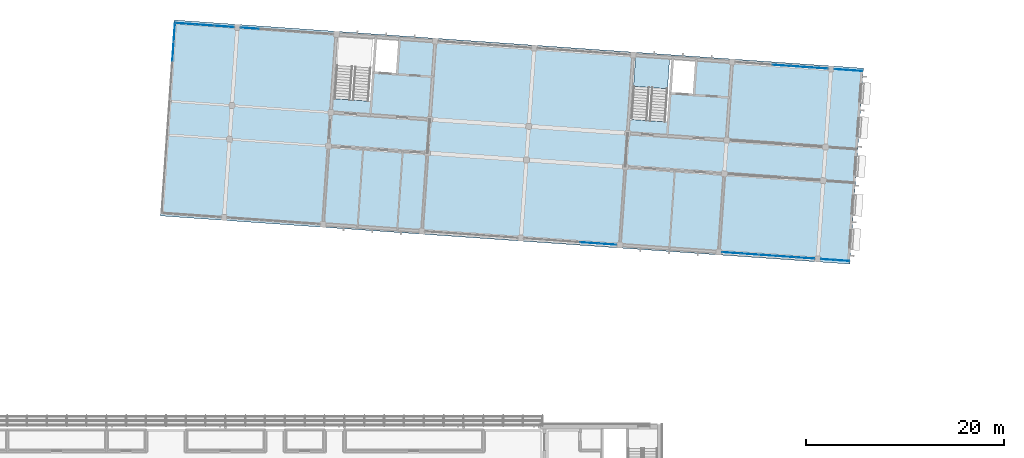
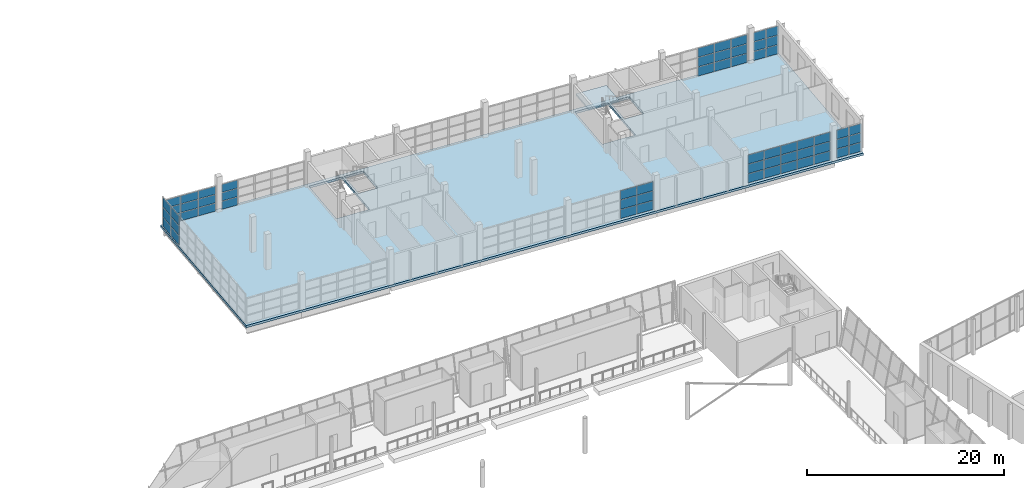
# One storey, part 57 of 115: 60 plates, 2 slabs, 9 elements without a shape of their own.
"""IFC4 building model written with IfcOpenShell, lengths in metres."""

from ifc_helpers import new_model, si_unit, direction, frame, origin, origin_2d, place, context, subcontext, project, spatial, polyline, rectangle, outline, extrude, material, layer, layer_set, type_object, element, aggregate, save


model = new_model("IFC4")

# Units and contexts
model_context = context("Model", 3, precision=1e-05, world=origin(), true_north=direction((0.0, 1.0)))
body_context = subcontext(model_context, "Body", "Model", "MODEL_VIEW")
ifc_project = project(units=[si_unit("LENGTHUNIT", "METRE"), si_unit("AREAUNIT", "SQUARE_METRE"), si_unit("VOLUMEUNIT", "CUBIC_METRE"), si_unit("PLANEANGLEUNIT", "RADIAN"), si_unit("MASSUNIT", "GRAM", prefix="KILO")], contexts=[model_context])

# Site, building, storey
site_placement = place(None, origin())
site = spatial("IfcSite", under=ifc_project, at=site_placement, CompositionType="ELEMENT")
building_placement = place(site_placement, origin())
building = spatial("IfcBuilding", under=site, at=building_placement, Name="Windward Yard Aquatics Centre", CompositionType="ELEMENT")
storey_placement = place(building_placement, frame((0.0, 0.0, 5.0)))
storey = spatial("IfcBuildingStorey", under=building, at=storey_placement, Name="L01", CompositionType="ELEMENT", Elevation=5.0)

# Curtain wall, plates
ifc_material_1 = material(Name="Aluminium curtain wall system", Category="aluminium")
curtain_wall_type = type_object("IfcCurtainWallType", Name="W curtain wall 1900", PredefinedType="NOTDEFINED", material=ifc_material_1)
curtain_wall_1_placement = place(storey_placement, origin())
curtain_wall_1 = element("IfcCurtainWall", 1, at=curtain_wall_1_placement, inside=storey, type_object=curtain_wall_type, Name="Wing south glazing L01 4", PredefinedType="NOTDEFINED")
ifc_material_2 = material(Name="Double glazed unit")
ifc_layer_1 = layer(ifc_material_2, 0.028076171875)
ifc_layer_set_1 = layer_set([ifc_layer_1], Name="W CW panel IGU 28")
plate_type = type_object("IfcPlateType", Name="W CW panel IGU 28", PredefinedType="CURTAIN_PANEL", material=ifc_layer_set_1)
plate_1_placement = place(storey_placement, frame((144.6533203125, 114.29248046875, 0.06005859375), z_axis=(0.0, 0.0, 1.0), x_axis=(0.997564129531, -0.069755340111, 0.0)))
plate_1 = element("IfcPlate", 2, at=plate_1_placement, type_object=plate_type, Name="WCW1 panel 4.1", PredefinedType="CURTAIN_PANEL", context=body_context, shape_type="SweptSolid", body=[
    extrude(rectangle(XDim=1.820068359375, YDim=0.028076171875, at=origin_2d()), origin(), (0.0, 0.0, 1.0), 1.10009765625),
])
plate_2_placement = place(storey_placement, frame((144.6533203125, 114.29248046875, 1.219970703125), z_axis=(0.0, 0.0, 1.0), x_axis=(0.997564129531, -0.069755340111, 0.0)))
plate_2 = element("IfcPlate", 3, at=plate_2_placement, type_object=plate_type, Name="WCW1 panel 4.2", PredefinedType="CURTAIN_PANEL", context=body_context, shape_type="SweptSolid", body=[
    extrude(rectangle(XDim=1.820068359375, YDim=0.028076171875, at=origin_2d()), origin(), (0.0, 0.0, 1.0), 1.1298828125),
])
plate_3_placement = place(storey_placement, frame((144.6533203125, 114.29248046875, 2.409912109375), z_axis=(0.0, 0.0, 1.0), x_axis=(0.997564129531, -0.069755340111, 0.0)))
plate_3 = element("IfcPlate", 4, at=plate_3_placement, type_object=plate_type, Name="WCW1 panel 4.3", PredefinedType="CURTAIN_PANEL", context=body_context, shape_type="SweptSolid", body=[
    extrude(rectangle(XDim=1.820068359375, YDim=0.028076171875, at=origin_2d()), origin(), (0.0, 0.0, 1.0), 1.10009765625),
])
plate_4_placement = place(storey_placement, frame((146.513916015625, 114.162353515625, 0.06005859375), z_axis=(0.0, 0.0, 1.0), x_axis=(0.997564129531, -0.069755340111, 0.0)))
plate_4 = element("IfcPlate", 5, at=plate_4_placement, type_object=plate_type, Name="WCW1 panel 5.1", PredefinedType="CURTAIN_PANEL", context=body_context, shape_type="SweptSolid", body=[
    extrude(rectangle(XDim=1.7900390625, YDim=0.028076171875, at=origin_2d()), origin(), (0.0, 0.0, 1.0), 1.10009765625),
])
plate_5_placement = place(storey_placement, frame((146.513916015625, 114.162353515625, 1.219970703125), z_axis=(0.0, 0.0, 1.0), x_axis=(0.997564129531, -0.069755340111, 0.0)))
plate_5 = element("IfcPlate", 6, at=plate_5_placement, type_object=plate_type, Name="WCW1 panel 5.2", PredefinedType="CURTAIN_PANEL", context=body_context, shape_type="SweptSolid", body=[
    extrude(rectangle(XDim=1.7900390625, YDim=0.028076171875, at=origin_2d()), origin(), (0.0, 0.0, 1.0), 1.1298828125),
])
plate_6_placement = place(storey_placement, frame((146.513916015625, 114.162353515625, 2.409912109375), z_axis=(0.0, 0.0, 1.0), x_axis=(0.997564129531, -0.069755340111, 0.0)))
plate_6 = element("IfcPlate", 7, at=plate_6_placement, type_object=plate_type, Name="WCW1 panel 5.3", PredefinedType="CURTAIN_PANEL", context=body_context, shape_type="SweptSolid", body=[
    extrude(rectangle(XDim=1.7900390625, YDim=0.028076171875, at=origin_2d()), origin(), (0.0, 0.0, 1.0), 1.10009765625),
])
aggregate(curtain_wall_1, [plate_1, plate_2, plate_3, plate_4, plate_5, plate_6])

curtain_wall_2_placement = place(storey_placement, origin())
curtain_wall_2 = element("IfcCurtainWall", 8, at=curtain_wall_2_placement, inside=storey, type_object=curtain_wall_type, Name="Wing south glazing L01 5", PredefinedType="NOTDEFINED")
plate_7_placement = place(storey_placement, frame((158.993408203125, 113.289794921875, 0.06005859375), z_axis=(0.0, 0.0, 1.0), x_axis=(0.997564129531, -0.069755340111, 0.0)))
plate_7 = element("IfcPlate", 9, at=plate_7_placement, type_object=plate_type, Name="WCW1 panel 1.1", PredefinedType="CURTAIN_PANEL", context=body_context, shape_type="SweptSolid", body=[
    extrude(rectangle(XDim=1.7900390625, YDim=0.028076171875, at=origin_2d()), origin(), (0.0, 0.0, 1.0), 1.10009765625),
])
plate_8_placement = place(storey_placement, frame((158.993408203125, 113.289794921875, 1.219970703125), z_axis=(0.0, 0.0, 1.0), x_axis=(0.997564129531, -0.069755340111, 0.0)))
plate_8 = element("IfcPlate", 10, at=plate_8_placement, type_object=plate_type, Name="WCW1 panel 1.2", PredefinedType="CURTAIN_PANEL", context=body_context, shape_type="SweptSolid", body=[
    extrude(rectangle(XDim=1.7900390625, YDim=0.028076171875, at=origin_2d()), origin(), (0.0, 0.0, 1.0), 1.1298828125),
])
plate_9_placement = place(storey_placement, frame((158.993408203125, 113.289794921875, 2.409912109375), z_axis=(0.0, 0.0, 1.0), x_axis=(0.997564129531, -0.069755340111, 0.0)))
plate_9 = element("IfcPlate", 11, at=plate_9_placement, type_object=plate_type, Name="WCW1 panel 1.3", PredefinedType="CURTAIN_PANEL", context=body_context, shape_type="SweptSolid", body=[
    extrude(rectangle(XDim=1.7900390625, YDim=0.028076171875, at=origin_2d()), origin(), (0.0, 0.0, 1.0), 1.10009765625),
])
plate_10_placement = place(storey_placement, frame((160.853759765625, 113.15966796875, 0.06005859375), z_axis=(0.0, 0.0, 1.0), x_axis=(0.997564129531, -0.069755340111, 0.0)))
plate_10 = element("IfcPlate", 12, at=plate_10_placement, type_object=plate_type, Name="WCW1 panel 2.1", PredefinedType="CURTAIN_PANEL", context=body_context, shape_type="SweptSolid", body=[
    extrude(rectangle(XDim=1.820068359375, YDim=0.028076171875, at=origin_2d()), origin(), (0.0, 0.0, 1.0), 1.10009765625),
])
plate_11_placement = place(storey_placement, frame((160.853759765625, 113.15966796875, 1.219970703125), z_axis=(0.0, 0.0, 1.0), x_axis=(0.997564129531, -0.069755340111, 0.0)))
plate_11 = element("IfcPlate", 13, at=plate_11_placement, type_object=plate_type, Name="WCW1 panel 2.2", PredefinedType="CURTAIN_PANEL", context=body_context, shape_type="SweptSolid", body=[
    extrude(rectangle(XDim=1.820068359375, YDim=0.028076171875, at=origin_2d()), origin(), (0.0, 0.0, 1.0), 1.1298828125),
])
plate_12_placement = place(storey_placement, frame((160.853759765625, 113.15966796875, 2.409912109375), z_axis=(0.0, 0.0, 1.0), x_axis=(0.997564129531, -0.069755340111, 0.0)))
plate_12 = element("IfcPlate", 14, at=plate_12_placement, type_object=plate_type, Name="WCW1 panel 2.3", PredefinedType="CURTAIN_PANEL", context=body_context, shape_type="SweptSolid", body=[
    extrude(rectangle(XDim=1.820068359375, YDim=0.028076171875, at=origin_2d()), origin(), (0.0, 0.0, 1.0), 1.10009765625),
])
plate_13_placement = place(storey_placement, frame((162.729248046875, 113.028564453125, 0.06005859375), z_axis=(0.0, 0.0, 1.0), x_axis=(0.997564129531, -0.069755340111, 0.0)))
plate_13 = element("IfcPlate", 15, at=plate_13_placement, type_object=plate_type, Name="WCW1 panel 3.1", PredefinedType="CURTAIN_PANEL", context=body_context, shape_type="SweptSolid", body=[
    extrude(rectangle(XDim=1.820068359375, YDim=0.028076171875, at=origin_2d()), origin(), (0.0, 0.0, 1.0), 1.10009765625),
])
plate_14_placement = place(storey_placement, frame((162.729248046875, 113.028564453125, 1.219970703125), z_axis=(0.0, 0.0, 1.0), x_axis=(0.997564129531, -0.069755340111, 0.0)))
plate_14 = element("IfcPlate", 16, at=plate_14_placement, type_object=plate_type, Name="WCW1 panel 3.2", PredefinedType="CURTAIN_PANEL", context=body_context, shape_type="SweptSolid", body=[
    extrude(rectangle(XDim=1.820068359375, YDim=0.028076171875, at=origin_2d()), origin(), (0.0, 0.0, 1.0), 1.1298828125),
])
plate_15_placement = place(storey_placement, frame((162.729248046875, 113.028564453125, 2.409912109375), z_axis=(0.0, 0.0, 1.0), x_axis=(0.997564129531, -0.069755340111, 0.0)))
plate_15 = element("IfcPlate", 17, at=plate_15_placement, type_object=plate_type, Name="WCW1 panel 3.3", PredefinedType="CURTAIN_PANEL", context=body_context, shape_type="SweptSolid", body=[
    extrude(rectangle(XDim=1.820068359375, YDim=0.028076171875, at=origin_2d()), origin(), (0.0, 0.0, 1.0), 1.10009765625),
])
plate_16_placement = place(storey_placement, frame((164.604736328125, 112.897216796875, 0.06005859375), z_axis=(0.0, 0.0, 1.0), x_axis=(0.997564129531, -0.069755340111, 0.0)))
plate_16 = element("IfcPlate", 18, at=plate_16_placement, type_object=plate_type, Name="WCW1 panel 4.1", PredefinedType="CURTAIN_PANEL", context=body_context, shape_type="SweptSolid", body=[
    extrude(rectangle(XDim=1.820068359375, YDim=0.028076171875, at=origin_2d()), origin(), (0.0, 0.0, 1.0), 1.10009765625),
])
plate_17_placement = place(storey_placement, frame((164.604736328125, 112.897216796875, 1.219970703125), z_axis=(0.0, 0.0, 1.0), x_axis=(0.997564129531, -0.069755340111, 0.0)))
plate_17 = element("IfcPlate", 19, at=plate_17_placement, type_object=plate_type, Name="WCW1 panel 4.2", PredefinedType="CURTAIN_PANEL", context=body_context, shape_type="SweptSolid", body=[
    extrude(rectangle(XDim=1.820068359375, YDim=0.028076171875, at=origin_2d()), origin(), (0.0, 0.0, 1.0), 1.1298828125),
])
plate_18_placement = place(storey_placement, frame((164.604736328125, 112.897216796875, 2.409912109375), z_axis=(0.0, 0.0, 1.0), x_axis=(0.997564129531, -0.069755340111, 0.0)))
plate_18 = element("IfcPlate", 20, at=plate_18_placement, type_object=plate_type, Name="WCW1 panel 4.3", PredefinedType="CURTAIN_PANEL", context=body_context, shape_type="SweptSolid", body=[
    extrude(rectangle(XDim=1.820068359375, YDim=0.028076171875, at=origin_2d()), origin(), (0.0, 0.0, 1.0), 1.10009765625),
])
plate_19_placement = place(storey_placement, frame((166.465087890625, 112.767333984375, 0.06005859375), z_axis=(0.0, 0.0, 1.0), x_axis=(0.997564129531, -0.069755340111, 0.0)))
plate_19 = element("IfcPlate", 21, at=plate_19_placement, type_object=plate_type, Name="WCW1 panel 5.1", PredefinedType="CURTAIN_PANEL", context=body_context, shape_type="SweptSolid", body=[
    extrude(rectangle(XDim=1.7900390625, YDim=0.028076171875, at=origin_2d()), origin(), (0.0, 0.0, 1.0), 1.10009765625),
])
plate_20_placement = place(storey_placement, frame((166.465087890625, 112.767333984375, 1.219970703125), z_axis=(0.0, 0.0, 1.0), x_axis=(0.997564129531, -0.069755340111, 0.0)))
plate_20 = element("IfcPlate", 22, at=plate_20_placement, type_object=plate_type, Name="WCW1 panel 5.2", PredefinedType="CURTAIN_PANEL", context=body_context, shape_type="SweptSolid", body=[
    extrude(rectangle(XDim=1.7900390625, YDim=0.028076171875, at=origin_2d()), origin(), (0.0, 0.0, 1.0), 1.1298828125),
])
plate_21_placement = place(storey_placement, frame((166.465087890625, 112.767333984375, 2.409912109375), z_axis=(0.0, 0.0, 1.0), x_axis=(0.997564129531, -0.069755340111, 0.0)))
plate_21 = element("IfcPlate", 23, at=plate_21_placement, type_object=plate_type, Name="WCW1 panel 5.3", PredefinedType="CURTAIN_PANEL", context=body_context, shape_type="SweptSolid", body=[
    extrude(rectangle(XDim=1.7900390625, YDim=0.028076171875, at=origin_2d()), origin(), (0.0, 0.0, 1.0), 1.10009765625),
])
aggregate(curtain_wall_2, [plate_7, plate_8, plate_9, plate_10, plate_11, plate_12, plate_13, plate_14, plate_15, plate_16, plate_17, plate_18, plate_19, plate_20, plate_21])

curtain_wall_3_placement = place(storey_placement, origin())
curtain_wall_3 = element("IfcCurtainWall", 24, at=curtain_wall_3_placement, inside=storey, type_object=curtain_wall_type, Name="Wing south glazing L01 6", PredefinedType="NOTDEFINED")
plate_22_placement = place(storey_placement, frame((168.7607421875, 112.606689453125, 0.06005859375), z_axis=(0.0, 0.0, 1.0), x_axis=(0.997562609431, -0.069777075501, 0.0)))
plate_22 = element("IfcPlate", 25, at=plate_22_placement, type_object=plate_type, Name="WCW1 panel 1.1", PredefinedType="CURTAIN_PANEL", context=body_context, shape_type="SweptSolid", body=[
    extrude(rectangle(XDim=1.37255859375, YDim=0.028076171875, at=origin_2d()), origin(), (0.0, 0.0, 1.0), 1.10009765625),
])
plate_23_placement = place(storey_placement, frame((168.7607421875, 112.606689453125, 1.219970703125), z_axis=(0.0, 0.0, 1.0), x_axis=(0.997562609431, -0.069777075501, 0.0)))
plate_23 = element("IfcPlate", 26, at=plate_23_placement, type_object=plate_type, Name="WCW1 panel 1.2", PredefinedType="CURTAIN_PANEL", context=body_context, shape_type="SweptSolid", body=[
    extrude(rectangle(XDim=1.37255859375, YDim=0.028076171875, at=origin_2d()), origin(), (0.0, 0.0, 1.0), 1.1298828125),
])
plate_24_placement = place(storey_placement, frame((168.7607421875, 112.606689453125, 2.409912109375), z_axis=(0.0, 0.0, 1.0), x_axis=(0.997562609431, -0.069777075501, 0.0)))
plate_24 = element("IfcPlate", 27, at=plate_24_placement, type_object=plate_type, Name="WCW1 panel 1.3", PredefinedType="CURTAIN_PANEL", context=body_context, shape_type="SweptSolid", body=[
    extrude(rectangle(XDim=1.37255859375, YDim=0.028076171875, at=origin_2d()), origin(), (0.0, 0.0, 1.0), 1.10009765625),
])
plate_25_placement = place(storey_placement, frame((170.189697265625, 112.5068359375, 0.06005859375), z_axis=(0.0, 0.0, 1.0), x_axis=(0.997562609431, -0.069777075501, 0.0)))
plate_25 = element("IfcPlate", 28, at=plate_25_placement, type_object=plate_type, Name="WCW1 panel 2.1", PredefinedType="CURTAIN_PANEL", context=body_context, shape_type="SweptSolid", body=[
    extrude(rectangle(XDim=1.37255859375, YDim=0.028076171875, at=origin_2d()), origin(), (0.0, 0.0, 1.0), 1.10009765625),
])
plate_26_placement = place(storey_placement, frame((170.189697265625, 112.5068359375, 1.219970703125), z_axis=(0.0, 0.0, 1.0), x_axis=(0.997562609431, -0.069777075501, 0.0)))
plate_26 = element("IfcPlate", 29, at=plate_26_placement, type_object=plate_type, Name="WCW1 panel 2.2", PredefinedType="CURTAIN_PANEL", context=body_context, shape_type="SweptSolid", body=[
    extrude(rectangle(XDim=1.37255859375, YDim=0.028076171875, at=origin_2d()), origin(), (0.0, 0.0, 1.0), 1.1298828125),
])
plate_27_placement = place(storey_placement, frame((170.189697265625, 112.5068359375, 2.409912109375), z_axis=(0.0, 0.0, 1.0), x_axis=(0.997562609431, -0.069777075501, 0.0)))
plate_27 = element("IfcPlate", 30, at=plate_27_placement, type_object=plate_type, Name="WCW1 panel 2.3", PredefinedType="CURTAIN_PANEL", context=body_context, shape_type="SweptSolid", body=[
    extrude(rectangle(XDim=1.37255859375, YDim=0.028076171875, at=origin_2d()), origin(), (0.0, 0.0, 1.0), 1.10009765625),
])
aggregate(curtain_wall_3, [plate_22, plate_23, plate_24, plate_25, plate_26, plate_27])

curtain_wall_4_placement = place(storey_placement, origin())
curtain_wall_4 = element("IfcCurtainWall", 31, at=curtain_wall_4_placement, inside=storey, type_object=curtain_wall_type, Name="Wing north glazing L01 1", PredefinedType="NOTDEFINED")
plate_28_placement = place(storey_placement, frame((103.930419921875, 136.386962890625, 0.06005859375), z_axis=(0.0, 0.0, 1.0), x_axis=(0.997564513454, -0.069749849447, 0.0)))
plate_28 = element("IfcPlate", 32, at=plate_28_placement, type_object=plate_type, Name="WCW1 panel 1.1", PredefinedType="CURTAIN_PANEL", context=body_context, shape_type="SweptSolid", body=[
    extrude(rectangle(XDim=1.909912109375, YDim=0.028076171875, at=origin_2d()), origin(), (0.0, 0.0, 1.0), 0.978759765625),
])
plate_29_placement = place(storey_placement, frame((103.930419921875, 136.386962890625, 1.0986328125), z_axis=(0.0, 0.0, 1.0), x_axis=(0.997564513454, -0.069749849447, 0.0)))
plate_29 = element("IfcPlate", 33, at=plate_29_placement, type_object=plate_type, Name="WCW1 panel 1.2", PredefinedType="CURTAIN_PANEL", context=body_context, shape_type="SweptSolid", body=[
    extrude(rectangle(XDim=1.909912109375, YDim=0.028076171875, at=origin_2d()), origin(), (0.0, 0.0, 1.0), 1.008544921875),
])
plate_30_placement = place(storey_placement, frame((103.930419921875, 136.386962890625, 2.16748046875), z_axis=(0.0, 0.0, 1.0), x_axis=(0.997564513454, -0.069749849447, 0.0)))
plate_30 = element("IfcPlate", 34, at=plate_30_placement, type_object=plate_type, Name="WCW1 panel 1.3", PredefinedType="CURTAIN_PANEL", context=body_context, shape_type="SweptSolid", body=[
    extrude(rectangle(XDim=1.909912109375, YDim=0.028076171875, at=origin_2d()), origin(), (0.0, 0.0, 1.0), 0.978759765625),
])
plate_31_placement = place(storey_placement, frame((105.91064453125, 136.24853515625, 0.06005859375), z_axis=(0.0, 0.0, 1.0), x_axis=(0.997564513454, -0.069749849447, 0.0)))
plate_31 = element("IfcPlate", 35, at=plate_31_placement, type_object=plate_type, Name="WCW1 panel 2.1", PredefinedType="CURTAIN_PANEL", context=body_context, shape_type="SweptSolid", body=[
    extrude(rectangle(XDim=1.93994140625, YDim=0.028076171875, at=origin_2d()), origin(), (0.0, 0.0, 1.0), 0.978759765625),
])
plate_32_placement = place(storey_placement, frame((105.91064453125, 136.24853515625, 1.0986328125), z_axis=(0.0, 0.0, 1.0), x_axis=(0.997564513454, -0.069749849447, 0.0)))
plate_32 = element("IfcPlate", 36, at=plate_32_placement, type_object=plate_type, Name="WCW1 panel 2.2", PredefinedType="CURTAIN_PANEL", context=body_context, shape_type="SweptSolid", body=[
    extrude(rectangle(XDim=1.93994140625, YDim=0.028076171875, at=origin_2d()), origin(), (0.0, 0.0, 1.0), 1.008544921875),
])
plate_33_placement = place(storey_placement, frame((105.91064453125, 136.24853515625, 2.16748046875), z_axis=(0.0, 0.0, 1.0), x_axis=(0.997564513454, -0.069749849447, 0.0)))
plate_33 = element("IfcPlate", 37, at=plate_33_placement, type_object=plate_type, Name="WCW1 panel 2.3", PredefinedType="CURTAIN_PANEL", context=body_context, shape_type="SweptSolid", body=[
    extrude(rectangle(XDim=1.93994140625, YDim=0.028076171875, at=origin_2d()), origin(), (0.0, 0.0, 1.0), 0.978759765625),
])
plate_34_placement = place(storey_placement, frame((107.890869140625, 136.110107421875, 0.06005859375), z_axis=(0.0, 0.0, 1.0), x_axis=(0.997564513454, -0.069749849447, 0.0)))
plate_34 = element("IfcPlate", 38, at=plate_34_placement, type_object=plate_type, Name="WCW1 panel 3.1", PredefinedType="CURTAIN_PANEL", context=body_context, shape_type="SweptSolid", body=[
    extrude(rectangle(XDim=1.909912109375, YDim=0.028076171875, at=origin_2d()), origin(), (0.0, 0.0, 1.0), 0.978759765625),
])
plate_35_placement = place(storey_placement, frame((107.890869140625, 136.110107421875, 1.0986328125), z_axis=(0.0, 0.0, 1.0), x_axis=(0.997564513454, -0.069749849447, 0.0)))
plate_35 = element("IfcPlate", 39, at=plate_35_placement, type_object=plate_type, Name="WCW1 panel 3.2", PredefinedType="CURTAIN_PANEL", context=body_context, shape_type="SweptSolid", body=[
    extrude(rectangle(XDim=1.909912109375, YDim=0.028076171875, at=origin_2d()), origin(), (0.0, 0.0, 1.0), 1.008544921875),
])
plate_36_placement = place(storey_placement, frame((107.890869140625, 136.110107421875, 2.16748046875), z_axis=(0.0, 0.0, 1.0), x_axis=(0.997564513454, -0.069749849447, 0.0)))
plate_36 = element("IfcPlate", 40, at=plate_36_placement, type_object=plate_type, Name="WCW1 panel 3.3", PredefinedType="CURTAIN_PANEL", context=body_context, shape_type="SweptSolid", body=[
    extrude(rectangle(XDim=1.909912109375, YDim=0.028076171875, at=origin_2d()), origin(), (0.0, 0.0, 1.0), 0.978759765625),
])
aggregate(curtain_wall_4, [plate_28, plate_29, plate_30, plate_31, plate_32, plate_33, plate_34, plate_35, plate_36])

curtain_wall_5_placement = place(storey_placement, origin())
curtain_wall_5 = element("IfcCurtainWall", 41, at=curtain_wall_5_placement, inside=storey, type_object=curtain_wall_type, Name="Wing north glazing L01 2", PredefinedType="NOTDEFINED")
plate_37_placement = place(storey_placement, frame((110.45458984375, 135.9306640625, 0.06005859375), z_axis=(0.0, 0.0, 1.0), x_axis=(0.997564129531, -0.069755340111, 0.0)))
plate_37 = element("IfcPlate", 42, at=plate_37_placement, type_object=plate_type, Name="WCW1 panel 1.1", PredefinedType="CURTAIN_PANEL", context=body_context, shape_type="SweptSolid", body=[
    extrude(rectangle(XDim=1.7900390625, YDim=0.028076171875, at=origin_2d()), origin(), (0.0, 0.0, 1.0), 0.978759765625),
])
plate_38_placement = place(storey_placement, frame((110.45458984375, 135.9306640625, 1.0986328125), z_axis=(0.0, 0.0, 1.0), x_axis=(0.997564129531, -0.069755340111, 0.0)))
plate_38 = element("IfcPlate", 43, at=plate_38_placement, type_object=plate_type, Name="WCW1 panel 1.2", PredefinedType="CURTAIN_PANEL", context=body_context, shape_type="SweptSolid", body=[
    extrude(rectangle(XDim=1.7900390625, YDim=0.028076171875, at=origin_2d()), origin(), (0.0, 0.0, 1.0), 1.008544921875),
])
plate_39_placement = place(storey_placement, frame((110.45458984375, 135.9306640625, 2.16748046875), z_axis=(0.0, 0.0, 1.0), x_axis=(0.997564129531, -0.069755340111, 0.0)))
plate_39 = element("IfcPlate", 44, at=plate_39_placement, type_object=plate_type, Name="WCW1 panel 1.3", PredefinedType="CURTAIN_PANEL", context=body_context, shape_type="SweptSolid", body=[
    extrude(rectangle(XDim=1.7900390625, YDim=0.028076171875, at=origin_2d()), origin(), (0.0, 0.0, 1.0), 0.978759765625),
])
aggregate(curtain_wall_5, [plate_37, plate_38, plate_39])

curtain_wall_6_placement = place(storey_placement, origin())
curtain_wall_6 = element("IfcCurtainWall", 45, at=curtain_wall_6_placement, inside=storey, type_object=curtain_wall_type, Name="Wing north glazing L01 5", PredefinedType="NOTDEFINED")
plate_40_placement = place(storey_placement, frame((164.068603515625, 132.181640625, 0.06005859375), z_axis=(0.0, 0.0, 1.0), x_axis=(0.997564129531, -0.069755340111, 0.0)))
plate_40 = element("IfcPlate", 46, at=plate_40_placement, type_object=plate_type, Name="WCW1 panel 3.1", PredefinedType="CURTAIN_PANEL", context=body_context, shape_type="SweptSolid", body=[
    extrude(rectangle(XDim=1.820068359375, YDim=0.028076171875, at=origin_2d()), origin(), (0.0, 0.0, 1.0), 1.10009765625),
])
plate_41_placement = place(storey_placement, frame((164.068603515625, 132.181640625, 1.219970703125), z_axis=(0.0, 0.0, 1.0), x_axis=(0.997564129531, -0.069755340111, 0.0)))
plate_41 = element("IfcPlate", 47, at=plate_41_placement, type_object=plate_type, Name="WCW1 panel 3.2", PredefinedType="CURTAIN_PANEL", context=body_context, shape_type="SweptSolid", body=[
    extrude(rectangle(XDim=1.820068359375, YDim=0.028076171875, at=origin_2d()), origin(), (0.0, 0.0, 1.0), 1.1298828125),
])
plate_42_placement = place(storey_placement, frame((164.068603515625, 132.181640625, 2.409912109375), z_axis=(0.0, 0.0, 1.0), x_axis=(0.997564129531, -0.069755340111, 0.0)))
plate_42 = element("IfcPlate", 48, at=plate_42_placement, type_object=plate_type, Name="WCW1 panel 3.3", PredefinedType="CURTAIN_PANEL", context=body_context, shape_type="SweptSolid", body=[
    extrude(rectangle(XDim=1.820068359375, YDim=0.028076171875, at=origin_2d()), origin(), (0.0, 0.0, 1.0), 1.10009765625),
])
plate_43_placement = place(storey_placement, frame((165.944091796875, 132.050537109375, 0.06005859375), z_axis=(0.0, 0.0, 1.0), x_axis=(0.997564129531, -0.069755340111, 0.0)))
plate_43 = element("IfcPlate", 49, at=plate_43_placement, type_object=plate_type, Name="WCW1 panel 4.1", PredefinedType="CURTAIN_PANEL", context=body_context, shape_type="SweptSolid", body=[
    extrude(rectangle(XDim=1.820068359375, YDim=0.028076171875, at=origin_2d()), origin(), (0.0, 0.0, 1.0), 1.10009765625),
])
plate_44_placement = place(storey_placement, frame((165.944091796875, 132.050537109375, 1.219970703125), z_axis=(0.0, 0.0, 1.0), x_axis=(0.997564129531, -0.069755340111, 0.0)))
plate_44 = element("IfcPlate", 50, at=plate_44_placement, type_object=plate_type, Name="WCW1 panel 4.2", PredefinedType="CURTAIN_PANEL", context=body_context, shape_type="SweptSolid", body=[
    extrude(rectangle(XDim=1.820068359375, YDim=0.028076171875, at=origin_2d()), origin(), (0.0, 0.0, 1.0), 1.1298828125),
])
plate_45_placement = place(storey_placement, frame((165.944091796875, 132.050537109375, 2.409912109375), z_axis=(0.0, 0.0, 1.0), x_axis=(0.997564129531, -0.069755340111, 0.0)))
plate_45 = element("IfcPlate", 51, at=plate_45_placement, type_object=plate_type, Name="WCW1 panel 4.3", PredefinedType="CURTAIN_PANEL", context=body_context, shape_type="SweptSolid", body=[
    extrude(rectangle(XDim=1.820068359375, YDim=0.028076171875, at=origin_2d()), origin(), (0.0, 0.0, 1.0), 1.10009765625),
])
plate_46_placement = place(storey_placement, frame((167.804443359375, 131.92041015625, 0.06005859375), z_axis=(0.0, 0.0, 1.0), x_axis=(0.997564129531, -0.069755340111, 0.0)))
plate_46 = element("IfcPlate", 52, at=plate_46_placement, type_object=plate_type, Name="WCW1 panel 5.1", PredefinedType="CURTAIN_PANEL", context=body_context, shape_type="SweptSolid", body=[
    extrude(rectangle(XDim=1.7900390625, YDim=0.028076171875, at=origin_2d()), origin(), (0.0, 0.0, 1.0), 1.10009765625),
])
plate_47_placement = place(storey_placement, frame((167.804443359375, 131.92041015625, 1.219970703125), z_axis=(0.0, 0.0, 1.0), x_axis=(0.997564129531, -0.069755340111, 0.0)))
plate_47 = element("IfcPlate", 53, at=plate_47_placement, type_object=plate_type, Name="WCW1 panel 5.2", PredefinedType="CURTAIN_PANEL", context=body_context, shape_type="SweptSolid", body=[
    extrude(rectangle(XDim=1.7900390625, YDim=0.028076171875, at=origin_2d()), origin(), (0.0, 0.0, 1.0), 1.1298828125),
])
plate_48_placement = place(storey_placement, frame((167.804443359375, 131.92041015625, 2.409912109375), z_axis=(0.0, 0.0, 1.0), x_axis=(0.997564129531, -0.069755340111, 0.0)))
plate_48 = element("IfcPlate", 54, at=plate_48_placement, type_object=plate_type, Name="WCW1 panel 5.3", PredefinedType="CURTAIN_PANEL", context=body_context, shape_type="SweptSolid", body=[
    extrude(rectangle(XDim=1.7900390625, YDim=0.028076171875, at=origin_2d()), origin(), (0.0, 0.0, 1.0), 1.10009765625),
])
aggregate(curtain_wall_6, [plate_40, plate_41, plate_42, plate_43, plate_44, plate_45, plate_46, plate_47, plate_48])

curtain_wall_7_placement = place(storey_placement, origin())
curtain_wall_7 = element("IfcCurtainWall", 55, at=curtain_wall_7_placement, inside=storey, type_object=curtain_wall_type, Name="Wing north glazing L01 6", PredefinedType="NOTDEFINED")
plate_49_placement = place(storey_placement, frame((170.10009765625, 131.760009765625, 0.06005859375), z_axis=(0.0, 0.0, 1.0), x_axis=(0.997564822259, -0.069745432765, 0.0)))
plate_49 = element("IfcPlate", 56, at=plate_49_placement, type_object=plate_type, Name="WCW1 panel 1.1", PredefinedType="CURTAIN_PANEL", context=body_context, shape_type="SweptSolid", body=[
    extrude(rectangle(XDim=1.37255859375, YDim=0.028076171875, at=origin_2d()), origin(), (0.0, 0.0, 1.0), 1.10009765625),
])
plate_50_placement = place(storey_placement, frame((170.10009765625, 131.760009765625, 1.219970703125), z_axis=(0.0, 0.0, 1.0), x_axis=(0.997564822259, -0.069745432765, 0.0)))
plate_50 = element("IfcPlate", 57, at=plate_50_placement, type_object=plate_type, Name="WCW1 panel 1.2", PredefinedType="CURTAIN_PANEL", context=body_context, shape_type="SweptSolid", body=[
    extrude(rectangle(XDim=1.37255859375, YDim=0.028076171875, at=origin_2d()), origin(), (0.0, 0.0, 1.0), 1.1298828125),
])
plate_51_placement = place(storey_placement, frame((170.10009765625, 131.760009765625, 2.409912109375), z_axis=(0.0, 0.0, 1.0), x_axis=(0.997564822259, -0.069745432765, 0.0)))
plate_51 = element("IfcPlate", 58, at=plate_51_placement, type_object=plate_type, Name="WCW1 panel 1.3", PredefinedType="CURTAIN_PANEL", context=body_context, shape_type="SweptSolid", body=[
    extrude(rectangle(XDim=1.37255859375, YDim=0.028076171875, at=origin_2d()), origin(), (0.0, 0.0, 1.0), 1.10009765625),
])
plate_52_placement = place(storey_placement, frame((171.529052734375, 131.66015625, 0.06005859375), z_axis=(0.0, 0.0, 1.0), x_axis=(0.997564822259, -0.069745432765, 0.0)))
plate_52 = element("IfcPlate", 59, at=plate_52_placement, type_object=plate_type, Name="WCW1 panel 2.1", PredefinedType="CURTAIN_PANEL", context=body_context, shape_type="SweptSolid", body=[
    extrude(rectangle(XDim=1.37255859375, YDim=0.028076171875, at=origin_2d()), origin(), (0.0, 0.0, 1.0), 1.10009765625),
])
plate_53_placement = place(storey_placement, frame((171.529052734375, 131.66015625, 1.219970703125), z_axis=(0.0, 0.0, 1.0), x_axis=(0.997564822259, -0.069745432765, 0.0)))
plate_53 = element("IfcPlate", 60, at=plate_53_placement, type_object=plate_type, Name="WCW1 panel 2.2", PredefinedType="CURTAIN_PANEL", context=body_context, shape_type="SweptSolid", body=[
    extrude(rectangle(XDim=1.37255859375, YDim=0.028076171875, at=origin_2d()), origin(), (0.0, 0.0, 1.0), 1.1298828125),
])
plate_54_placement = place(storey_placement, frame((171.529052734375, 131.66015625, 2.409912109375), z_axis=(0.0, 0.0, 1.0), x_axis=(0.997564822259, -0.069745432765, 0.0)))
plate_54 = element("IfcPlate", 61, at=plate_54_placement, type_object=plate_type, Name="WCW1 panel 2.3", PredefinedType="CURTAIN_PANEL", context=body_context, shape_type="SweptSolid", body=[
    extrude(rectangle(XDim=1.37255859375, YDim=0.028076171875, at=origin_2d()), origin(), (0.0, 0.0, 1.0), 1.10009765625),
])
aggregate(curtain_wall_7, [plate_49, plate_50, plate_51, plate_52, plate_53, plate_54])

curtain_wall_8_placement = place(storey_placement, origin())
curtain_wall_8 = element("IfcCurtainWall", 62, at=curtain_wall_8_placement, inside=storey, type_object=curtain_wall_type, Name="Wing west glazing L01 1", PredefinedType="NOTDEFINED")
plate_55_placement = place(storey_placement, frame((102.717041015625, 133.584716796875, 0.06005859375), z_axis=(0.0, 0.0, 1.0), x_axis=(0.069755322369, 0.997564130771, 0.0)))
plate_55 = element("IfcPlate", 63, at=plate_55_placement, type_object=plate_type, Name="WCW1 panel 9.1", PredefinedType="CURTAIN_PANEL", context=body_context, shape_type="SweptSolid", body=[
    extrude(rectangle(XDim=1.860107421875, YDim=0.028076171875, at=origin_2d()), origin(), (0.0, 0.0, 1.0), 1.144287109375),
])
plate_56_placement = place(storey_placement, frame((102.717041015625, 133.584716796875, 1.264404296875), z_axis=(0.0, 0.0, 1.0), x_axis=(0.069755322369, 0.997564130771, 0.0)))
plate_56 = element("IfcPlate", 64, at=plate_56_placement, type_object=plate_type, Name="WCW1 panel 9.2", PredefinedType="CURTAIN_PANEL", context=body_context, shape_type="SweptSolid", body=[
    extrude(rectangle(XDim=1.860107421875, YDim=0.028076171875, at=origin_2d()), origin(), (0.0, 0.0, 1.0), 1.17431640625),
])
plate_57_placement = place(storey_placement, frame((102.717041015625, 133.584716796875, 2.49853515625), z_axis=(0.0, 0.0, 1.0), x_axis=(0.069755322369, 0.997564130771, 0.0)))
plate_57 = element("IfcPlate", 65, at=plate_57_placement, type_object=plate_type, Name="WCW1 panel 9.3", PredefinedType="CURTAIN_PANEL", context=body_context, shape_type="SweptSolid", body=[
    extrude(rectangle(XDim=1.860107421875, YDim=0.028076171875, at=origin_2d()), origin(), (0.0, 0.0, 1.0), 1.144287109375),
])
plate_58_placement = place(storey_placement, frame((102.849853515625, 135.485107421875, 0.06005859375), z_axis=(0.0, 0.0, 1.0), x_axis=(0.069755322369, 0.997564130771, 0.0)))
plate_58 = element("IfcPlate", 66, at=plate_58_placement, type_object=plate_type, Name="WCW1 panel 10.1", PredefinedType="CURTAIN_PANEL", context=body_context, shape_type="SweptSolid", body=[
    extrude(rectangle(XDim=1.830078125, YDim=0.028076171875, at=origin_2d()), origin(), (0.0, 0.0, 1.0), 1.144287109375),
])
plate_59_placement = place(storey_placement, frame((102.849853515625, 135.485107421875, 1.264404296875), z_axis=(0.0, 0.0, 1.0), x_axis=(0.069755322369, 0.997564130771, 0.0)))
plate_59 = element("IfcPlate", 67, at=plate_59_placement, type_object=plate_type, Name="WCW1 panel 10.2", PredefinedType="CURTAIN_PANEL", context=body_context, shape_type="SweptSolid", body=[
    extrude(rectangle(XDim=1.830078125, YDim=0.028076171875, at=origin_2d()), origin(), (0.0, 0.0, 1.0), 1.17431640625),
])
plate_60_placement = place(storey_placement, frame((102.849853515625, 135.485107421875, 2.49853515625), z_axis=(0.0, 0.0, 1.0), x_axis=(0.069755322369, 0.997564130771, 0.0)))
plate_60 = element("IfcPlate", 68, at=plate_60_placement, type_object=plate_type, Name="WCW1 panel 10.3", PredefinedType="CURTAIN_PANEL", context=body_context, shape_type="SweptSolid", body=[
    extrude(rectangle(XDim=1.830078125, YDim=0.028076171875, at=origin_2d()), origin(), (0.0, 0.0, 1.0), 1.144287109375),
])
aggregate(curtain_wall_8, [plate_55, plate_56, plate_57, plate_58, plate_59, plate_60])

# Slab
ifc_material_3 = material(Name="Concrete C35/45", Category="concrete")
ifc_layer_2 = layer(ifc_material_3, 0.280029296875)
ifc_layer_set_2 = layer_set([ifc_layer_2], Name="W floor slab 280 Concrete C35/45")
slab_type_1 = type_object("IfcSlabType", Name="W floor slab 280 Concrete C35/45", PredefinedType="FLOOR", material=ifc_layer_set_2)
slab_1_placement = place(storey_placement, frame((0.0, 0.0, -0.280029296875)))
element("IfcSlab", 69, at=slab_1_placement, inside=storey, type_object=slab_type_1, Name="W.SLAB.L01", PredefinedType="FLOOR", context=body_context, shape_type="SweptSolid", body=[
    extrude(outline(polyline([(101.4580078125, 117.01220703125), (170.938232421875, 112.15380859375), (172.3193359375, 131.905517578125), (102.839111328125, 136.763916015625), (101.4580078125, 117.01220703125)]), holes=[polyline([(118.85009765625, 128.837890625), (122.591064453125, 128.576416015625), (123.034912109375, 134.92578125), (119.294189453125, 135.187255859375), (118.85009765625, 128.837890625)]), polyline([(123.05078125, 131.56640625), (125.195556640625, 131.41650390625), (125.42919921875, 134.75830078125), (123.284423828125, 134.908203125), (123.05078125, 131.56640625)]), polyline([(148.777099609375, 126.7451171875), (152.51806640625, 126.483642578125), (152.9619140625, 132.8330078125), (149.22119140625, 133.0947265625), (148.777099609375, 126.7451171875)]), polyline([(152.977783203125, 129.473876953125), (155.122314453125, 129.32373046875), (155.356201171875, 132.665771484375), (153.211181640625, 132.815673828125), (152.977783203125, 129.473876953125)])]), origin(), (0.0, 0.0, 1.0), 0.280029296875),
])

# Stair, slab
stair_type = type_object("IfcStairType", Name="W exit stair 1600", PredefinedType="HALF_TURN_STAIR", material=ifc_material_3)
stair_placement = place(storey_placement, origin())
stair = element("IfcStair", 70, at=stair_placement, inside=storey, type_object=stair_type, Name="W.ST.E.L01", PredefinedType="HALF_TURN_STAIR")
ifc_layer_3 = layer(ifc_material_3, 0.199951171875)
ifc_layer_set_3 = layer_set([ifc_layer_3], Name="W stair landing 200 Concrete C35/45")
slab_type_2 = type_object("IfcSlabType", Name="W stair landing 200 Concrete C35/45", PredefinedType="LANDING", material=ifc_layer_set_3)
slab_2_placement = place(storey_placement, frame((0.0, 0.0, 2.0)))
slab_2 = element("IfcSlab", 71, at=slab_2_placement, type_object=slab_type_2, Name="ST-E landing 1", PredefinedType="LANDING", context=body_context, shape_type="SweptSolid", body=[
    extrude(outline(polyline([(149.134765625, 130.068359375), (152.576416015625, 129.82763671875), (152.787353515625, 132.84521484375), (149.345703125, 133.0859375), (149.134765625, 130.068359375)])), origin(), (0.0, 0.0, 1.0), 0.199951171875),
])
aggregate(stair, [slab_2])

save(model, "model.ifc")
